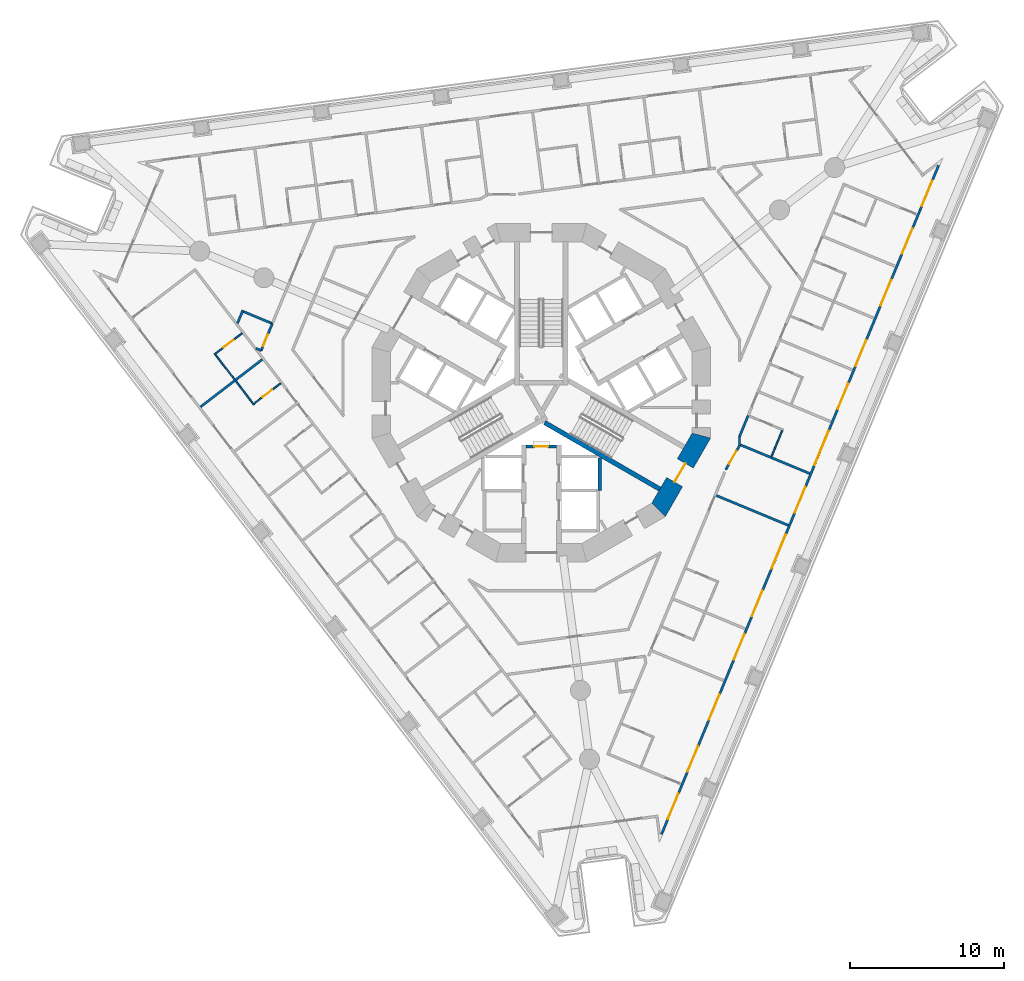
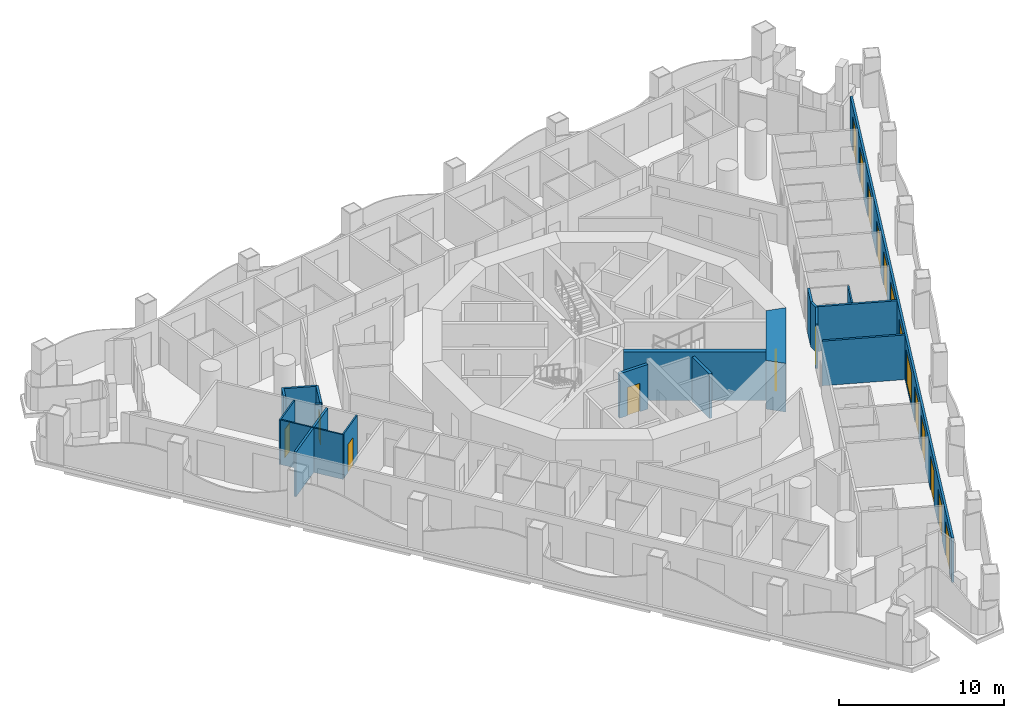
# One storey, part 5 of 19: 20 walls, 17 doors, 2 windows, 19 openings.
"""IFC4 building model written with IfcOpenShell, lengths in metres."""

from ifc_helpers import new_model, si_unit, direction, frame, frame_2d, origin, place, context, subcontext, project, spatial, polyline, rectangle, outline, extrude, material, layer, layer_set, type_object, element, fill, save


model = new_model("IFC4")

# Units and contexts
model_context = context("Model", 3, precision=1e-05, world=origin(), true_north=direction((0.0, 1.0)))
body_context = subcontext(model_context, "Body", "Model", "MODEL_VIEW")
ifc_project = project(units=[si_unit("LENGTHUNIT", "METRE"), si_unit("AREAUNIT", "SQUARE_METRE"), si_unit("VOLUMEUNIT", "CUBIC_METRE"), si_unit("PLANEANGLEUNIT", "RADIAN"), si_unit("MASSUNIT", "GRAM", prefix="KILO")], contexts=[model_context])

# Site, building, storey
site_placement = place(None, origin())
site = spatial("IfcSite", under=ifc_project, at=site_placement, CompositionType="ELEMENT")
building_placement = place(site_placement, origin())
building = spatial("IfcBuilding", under=site, at=building_placement, Name="Trine Commons Tower", CompositionType="ELEMENT")
storey_placement = place(building_placement, frame((0.0, 0.0, 54.0)))
storey = spatial("IfcBuildingStorey", under=building, at=storey_placement, Name="L12", CompositionType="ELEMENT", Elevation=54.0)

# Wall, openings, windows, doors
ifc_material_1 = material(Name="Aluminium-framed insulated wall panel", Category="aluminium")
ifc_layer_1 = layer(ifc_material_1, 0.14990234375)
ifc_layer_set_1 = layer_set([ifc_layer_1], Name="Aluminium-framed insulated wall panel")
wall_type_1 = type_object("IfcWallType", Name="Glazed frame wall 150, EI 60", PredefinedType="SOLIDWALL", material=ifc_layer_set_1)
wall_1_placement = place(storey_placement, frame((105.888671875, 77.410888671875, 0.0), z_axis=(0.0, 0.0, 1.0), x_axis=(-0.38268395344, -0.923879316675, 0.0)))
wall_1 = element("IfcWall", 1, at=wall_1_placement, inside=storey, type_object=wall_type_1, Name="Glazed frame wall F2", PredefinedType="SOLIDWALL", context=body_context, shape_type="SweptSolid", body=[
    extrude(outline(polyline([(0.1494140625, 0.074951171875), (0.1494140625, -0.074951171875), (47.216796875, -0.074951171875), (47.216796875, 0.074951171875), (0.1494140625, 0.074951171875)])), origin(), (0.0, 0.0, 1.0), 3.300048828125),
])
opening_1_placement = place(wall_1_placement, frame((1.2216796875, 0.0, 0.0)))
opening_1 = element("IfcOpeningElement", 2, at=opening_1_placement, cuts=wall_1, Name="Opening BD-2F2-01", PredefinedType="OPENING", context=body_context, shape_type="SweptSolid", body=[
    extrude(rectangle(XDim=1.800048828125, YDim=2.60009765625, at=frame_2d((0.89990234375, 1.300048828125))), frame((0.0, 0.0849609375, 0.0), z_axis=(0.0, -1.0, 0.0), x_axis=(1.0, 0.0, 0.0)), (0.0, 0.0, 1.0), 0.169921875),
])
opening_2_placement = place(wall_1_placement, frame((4.5654296875, 0.0, 0.0)))
opening_2 = element("IfcOpeningElement", 3, at=opening_2_placement, cuts=wall_1, Name="Opening BD-2F2-02", PredefinedType="OPENING", context=body_context, shape_type="SweptSolid", body=[
    extrude(rectangle(XDim=1.800048828125, YDim=2.60009765625, at=frame_2d((0.89990234375, 1.300048828125))), frame((0.0, 0.0849609375, 0.0), z_axis=(0.0, -1.0, 0.0), x_axis=(1.0, 0.0, 0.0)), (0.0, 0.0, 1.0), 0.169921875),
])
opening_3_placement = place(wall_1_placement, frame((8.208984375, 0.0, 0.0)))
opening_3 = element("IfcOpeningElement", 4, at=opening_3_placement, cuts=wall_1, Name="Opening BD-2F2-03", PredefinedType="OPENING", context=body_context, shape_type="SweptSolid", body=[
    extrude(rectangle(XDim=1.800048828125, YDim=2.60009765625, at=frame_2d((0.89990234375, 1.300048828125))), frame((0.0, 0.0849609375, 0.0), z_axis=(0.0, -1.0, 0.0), x_axis=(1.0, 0.0, 0.0)), (0.0, 0.0, 1.0), 0.169921875),
])
opening_4_placement = place(wall_1_placement, frame((12.45263671875, 0.0, 0.0)))
opening_4 = element("IfcOpeningElement", 5, at=opening_4_placement, cuts=wall_1, Name="Opening BD-2F2-04", PredefinedType="OPENING", context=body_context, shape_type="SweptSolid", body=[
    extrude(rectangle(XDim=1.800048828125, YDim=2.60009765625, at=frame_2d((0.89990234375, 1.300048828125))), frame((0.0, 0.0849609375, 0.0), z_axis=(0.0, -1.0, 0.0), x_axis=(1.0, 0.0, 0.0)), (0.0, 0.0, 1.0), 0.169921875),
])
opening_5_placement = place(wall_1_placement, frame((15.49609375, 0.0, 0.0)))
opening_5 = element("IfcOpeningElement", 6, at=opening_5_placement, cuts=wall_1, Name="Opening BD-2F2-05", PredefinedType="OPENING", context=body_context, shape_type="SweptSolid", body=[
    extrude(rectangle(XDim=1.800048828125, YDim=2.60009765625, at=frame_2d((0.89990234375, 1.300048828125))), frame((0.0, 0.0849609375, 0.0), z_axis=(0.0, -1.0, 0.0), x_axis=(1.0, 0.0, 0.0)), (0.0, 0.0, 1.0), 0.169921875),
])
opening_6_placement = place(wall_1_placement, frame((18.83984375, 0.0, 0.14990234375)))
opening_6 = element("IfcOpeningElement", 7, at=opening_6_placement, cuts=wall_1, Name="Opening W-2F2-06", PredefinedType="OPENING", context=body_context, shape_type="SweptSolid", body=[
    extrude(rectangle(XDim=2.39990234375, YDim=2.449951171875, at=frame_2d((1.199951171875, 1.22509765625))), frame((0.0, 0.0849609375, 0.0), z_axis=(0.0, -1.0, 0.0), x_axis=(1.0, 0.0, 0.0)), (0.0, 0.0, 1.0), 0.169921875),
])
opening_7_placement = place(wall_1_placement, frame((22.783447265625, 0.0, 0.0)))
opening_7 = element("IfcOpeningElement", 8, at=opening_7_placement, cuts=wall_1, Name="Opening BD-2F2-07", PredefinedType="OPENING", context=body_context, shape_type="SweptSolid", body=[
    extrude(rectangle(XDim=1.800048828125, YDim=2.60009765625, at=frame_2d((0.89990234375, 1.300048828125))), frame((0.0, 0.0849609375, 0.0), z_axis=(0.0, -1.0, 0.0), x_axis=(1.0, 0.0, 0.0)), (0.0, 0.0, 1.0), 0.169921875),
])
opening_8_placement = place(wall_1_placement, frame((26.126953125, 0.0, 0.14990234375)))
opening_8 = element("IfcOpeningElement", 9, at=opening_8_placement, cuts=wall_1, Name="Opening W-2F2-08", PredefinedType="OPENING", context=body_context, shape_type="SweptSolid", body=[
    extrude(rectangle(XDim=2.39990234375, YDim=2.449951171875, at=frame_2d((1.199951171875, 1.22509765625))), frame((0.0, 0.0849609375, 0.0), z_axis=(0.0, -1.0, 0.0), x_axis=(1.0, 0.0, 0.0)), (0.0, 0.0, 1.0), 0.169921875),
])
opening_9_placement = place(wall_1_placement, frame((30.070556640625, 0.0, 0.0)))
opening_9 = element("IfcOpeningElement", 10, at=opening_9_placement, cuts=wall_1, Name="Opening BD-2F2-09", PredefinedType="OPENING", context=body_context, shape_type="SweptSolid", body=[
    extrude(rectangle(XDim=1.800048828125, YDim=2.60009765625, at=frame_2d((0.89990234375, 1.300048828125))), frame((0.0, 0.0849609375, 0.0), z_axis=(0.0, -1.0, 0.0), x_axis=(1.0, 0.0, 0.0)), (0.0, 0.0, 1.0), 0.169921875),
])
opening_10_placement = place(wall_1_placement, frame((33.1142578125, 0.0, 0.0)))
opening_10 = element("IfcOpeningElement", 11, at=opening_10_placement, cuts=wall_1, Name="Opening BD-2F2-10", PredefinedType="OPENING", context=body_context, shape_type="SweptSolid", body=[
    extrude(rectangle(XDim=1.800048828125, YDim=2.60009765625, at=frame_2d((0.89990234375, 1.300048828125))), frame((0.0, 0.0849609375, 0.0), z_axis=(0.0, -1.0, 0.0), x_axis=(1.0, 0.0, 0.0)), (0.0, 0.0, 1.0), 0.169921875),
])
opening_11_placement = place(wall_1_placement, frame((37.35791015625, 0.0, 0.0)))
opening_11 = element("IfcOpeningElement", 12, at=opening_11_placement, cuts=wall_1, Name="Opening BD-2F2-11", PredefinedType="OPENING", context=body_context, shape_type="SweptSolid", body=[
    extrude(rectangle(XDim=1.800048828125, YDim=2.60009765625, at=frame_2d((0.89990234375, 1.300048828125))), frame((0.0, 0.0849609375, 0.0), z_axis=(0.0, -1.0, 0.0), x_axis=(1.0, 0.0, 0.0)), (0.0, 0.0, 1.0), 0.169921875),
])
opening_12_placement = place(wall_1_placement, frame((41.00146484375, 0.0, 0.0)))
opening_12 = element("IfcOpeningElement", 13, at=opening_12_placement, cuts=wall_1, Name="Opening BD-2F2-12", PredefinedType="OPENING", context=body_context, shape_type="SweptSolid", body=[
    extrude(rectangle(XDim=1.800048828125, YDim=2.60009765625, at=frame_2d((0.89990234375, 1.300048828125))), frame((0.0, 0.0849609375, 0.0), z_axis=(0.0, -1.0, 0.0), x_axis=(1.0, 0.0, 0.0)), (0.0, 0.0, 1.0), 0.169921875),
])
opening_13_placement = place(wall_1_placement, frame((44.344970703125, 0.0, 0.0)))
opening_13 = element("IfcOpeningElement", 14, at=opening_13_placement, cuts=wall_1, Name="Opening BD-2F2-13", PredefinedType="OPENING", context=body_context, shape_type="SweptSolid", body=[
    extrude(rectangle(XDim=1.800048828125, YDim=2.60009765625, at=frame_2d((0.89990234375, 1.300048828125))), frame((0.0, 0.0849609375, 0.0), z_axis=(0.0, -1.0, 0.0), x_axis=(1.0, 0.0, 0.0)), (0.0, 0.0, 1.0), 0.169921875),
])
ifc_material_2 = material(Name="Anodised aluminium frame with double glazing", Category="aluminium")
window_type = type_object("IfcWindowType", Name="Fixed window 2400x2450", PartitioningType="SINGLE_PANEL", PredefinedType="WINDOW", material=ifc_material_2)
window_1_placement = place(opening_6_placement, origin())
window_1 = element("IfcWindow", 15, at=window_1_placement, inside=storey, type_object=window_type, Name="Window F2 6", OverallHeight=2.449951171875, OverallWidth=2.39990234375, PartitioningType="SINGLE_PANEL", PredefinedType="WINDOW", context=body_context, shape_type="SweptSolid", body=[
    extrude(rectangle(XDim=2.39990234375, YDim=2.449951171875, at=frame_2d((1.199951171875, 1.22509765625))), frame((0.0, 0.030029296875, 0.0), z_axis=(0.0, -1.0, 0.0), x_axis=(1.0, 0.0, 0.0)), (0.0, 0.0, 1.0), 0.06005859375),
])
fill(opening_6, window_1)
window_2_placement = place(opening_8_placement, origin())
window_2 = element("IfcWindow", 16, at=window_2_placement, inside=storey, type_object=window_type, Name="Window F2 8", OverallHeight=2.449951171875, OverallWidth=2.39990234375, PartitioningType="SINGLE_PANEL", PredefinedType="WINDOW", context=body_context, shape_type="SweptSolid", body=[
    extrude(rectangle(XDim=2.39990234375, YDim=2.449951171875, at=frame_2d((1.199951171875, 1.22509765625))), frame((0.0, 0.030029296875, 0.0), z_axis=(0.0, -1.0, 0.0), x_axis=(1.0, 0.0, 0.0)), (0.0, 0.0, 1.0), 0.06005859375),
])
fill(opening_8, window_2)
door_type_1 = type_object("IfcDoorType", Name="Sliding loggia door 1800x2600", OperationType="SLIDING_TO_LEFT", PredefinedType="DOOR", material=ifc_material_2)
door_1_placement = place(opening_1_placement, origin())
door_1 = element("IfcDoor", 17, at=door_1_placement, inside=storey, type_object=door_type_1, Name="Loggia door F2 1", OperationType="SLIDING_TO_LEFT", OverallHeight=2.60009765625, OverallWidth=1.800048828125, PredefinedType="DOOR", context=body_context, shape_type="SweptSolid", body=[
    extrude(rectangle(XDim=1.800048828125, YDim=2.60009765625, at=frame_2d((0.89990234375, 1.300048828125))), frame((0.0, 0.02490234375, 0.0), z_axis=(0.0, -1.0, 0.0), x_axis=(1.0, 0.0, 0.0)), (0.0, 0.0, 1.0), 0.050048828125),
])
fill(opening_1, door_1)
door_2_placement = place(opening_2_placement, origin())
door_2 = element("IfcDoor", 18, at=door_2_placement, inside=storey, type_object=door_type_1, Name="Loggia door F2 2", OperationType="SLIDING_TO_LEFT", OverallHeight=2.60009765625, OverallWidth=1.800048828125, PredefinedType="DOOR", context=body_context, shape_type="SweptSolid", body=[
    extrude(rectangle(XDim=1.800048828125, YDim=2.60009765625, at=frame_2d((0.89990234375, 1.300048828125))), frame((0.0, 0.02490234375, 0.0), z_axis=(0.0, -1.0, 0.0), x_axis=(1.0, 0.0, 0.0)), (0.0, 0.0, 1.0), 0.050048828125),
])
fill(opening_2, door_2)
door_3_placement = place(opening_3_placement, origin())
door_3 = element("IfcDoor", 19, at=door_3_placement, inside=storey, type_object=door_type_1, Name="Loggia door F2 3", OperationType="SLIDING_TO_LEFT", OverallHeight=2.60009765625, OverallWidth=1.800048828125, PredefinedType="DOOR", context=body_context, shape_type="SweptSolid", body=[
    extrude(rectangle(XDim=1.800048828125, YDim=2.60009765625, at=frame_2d((0.89990234375, 1.300048828125))), frame((0.0, 0.02490234375, 0.0), z_axis=(0.0, -1.0, 0.0), x_axis=(1.0, 0.0, 0.0)), (0.0, 0.0, 1.0), 0.050048828125),
])
fill(opening_3, door_3)
door_4_placement = place(opening_4_placement, origin())
door_4 = element("IfcDoor", 20, at=door_4_placement, inside=storey, type_object=door_type_1, Name="Loggia door F2 4", OperationType="SLIDING_TO_LEFT", OverallHeight=2.60009765625, OverallWidth=1.800048828125, PredefinedType="DOOR", context=body_context, shape_type="SweptSolid", body=[
    extrude(rectangle(XDim=1.800048828125, YDim=2.60009765625, at=frame_2d((0.89990234375, 1.300048828125))), frame((0.0, 0.02490234375, 0.0), z_axis=(0.0, -1.0, 0.0), x_axis=(1.0, 0.0, 0.0)), (0.0, 0.0, 1.0), 0.050048828125),
])
fill(opening_4, door_4)
door_5_placement = place(opening_5_placement, origin())
door_5 = element("IfcDoor", 21, at=door_5_placement, inside=storey, type_object=door_type_1, Name="Loggia door F2 5", OperationType="SLIDING_TO_LEFT", OverallHeight=2.60009765625, OverallWidth=1.800048828125, PredefinedType="DOOR", context=body_context, shape_type="SweptSolid", body=[
    extrude(rectangle(XDim=1.800048828125, YDim=2.60009765625, at=frame_2d((0.89990234375, 1.300048828125))), frame((0.0, 0.02490234375, 0.0), z_axis=(0.0, -1.0, 0.0), x_axis=(1.0, 0.0, 0.0)), (0.0, 0.0, 1.0), 0.050048828125),
])
fill(opening_5, door_5)
door_6_placement = place(opening_7_placement, origin())
door_6 = element("IfcDoor", 22, at=door_6_placement, inside=storey, type_object=door_type_1, Name="Loggia door F2 7", OperationType="SLIDING_TO_LEFT", OverallHeight=2.60009765625, OverallWidth=1.800048828125, PredefinedType="DOOR", context=body_context, shape_type="SweptSolid", body=[
    extrude(rectangle(XDim=1.800048828125, YDim=2.60009765625, at=frame_2d((0.89990234375, 1.300048828125))), frame((0.0, 0.02490234375, 0.0), z_axis=(0.0, -1.0, 0.0), x_axis=(1.0, 0.0, 0.0)), (0.0, 0.0, 1.0), 0.050048828125),
])
fill(opening_7, door_6)
door_7_placement = place(opening_9_placement, origin())
door_7 = element("IfcDoor", 23, at=door_7_placement, inside=storey, type_object=door_type_1, Name="Loggia door F2 9", OperationType="SLIDING_TO_LEFT", OverallHeight=2.60009765625, OverallWidth=1.800048828125, PredefinedType="DOOR", context=body_context, shape_type="SweptSolid", body=[
    extrude(rectangle(XDim=1.800048828125, YDim=2.60009765625, at=frame_2d((0.89990234375, 1.300048828125))), frame((0.0, 0.02490234375, 0.0), z_axis=(0.0, -1.0, 0.0), x_axis=(1.0, 0.0, 0.0)), (0.0, 0.0, 1.0), 0.050048828125),
])
fill(opening_9, door_7)
door_8_placement = place(opening_10_placement, origin())
door_8 = element("IfcDoor", 24, at=door_8_placement, inside=storey, type_object=door_type_1, Name="Loggia door F2 10", OperationType="SLIDING_TO_LEFT", OverallHeight=2.60009765625, OverallWidth=1.800048828125, PredefinedType="DOOR", context=body_context, shape_type="SweptSolid", body=[
    extrude(rectangle(XDim=1.800048828125, YDim=2.60009765625, at=frame_2d((0.89990234375, 1.300048828125))), frame((0.0, 0.02490234375, 0.0), z_axis=(0.0, -1.0, 0.0), x_axis=(1.0, 0.0, 0.0)), (0.0, 0.0, 1.0), 0.050048828125),
])
fill(opening_10, door_8)
door_9_placement = place(opening_11_placement, origin())
door_9 = element("IfcDoor", 25, at=door_9_placement, inside=storey, type_object=door_type_1, Name="Loggia door F2 11", OperationType="SLIDING_TO_LEFT", OverallHeight=2.60009765625, OverallWidth=1.800048828125, PredefinedType="DOOR", context=body_context, shape_type="SweptSolid", body=[
    extrude(rectangle(XDim=1.800048828125, YDim=2.60009765625, at=frame_2d((0.89990234375, 1.300048828125))), frame((0.0, 0.02490234375, 0.0), z_axis=(0.0, -1.0, 0.0), x_axis=(1.0, 0.0, 0.0)), (0.0, 0.0, 1.0), 0.050048828125),
])
fill(opening_11, door_9)
door_10_placement = place(opening_12_placement, origin())
door_10 = element("IfcDoor", 26, at=door_10_placement, inside=storey, type_object=door_type_1, Name="Loggia door F2 12", OperationType="SLIDING_TO_LEFT", OverallHeight=2.60009765625, OverallWidth=1.800048828125, PredefinedType="DOOR", context=body_context, shape_type="SweptSolid", body=[
    extrude(rectangle(XDim=1.800048828125, YDim=2.60009765625, at=frame_2d((0.89990234375, 1.300048828125))), frame((0.0, 0.02490234375, 0.0), z_axis=(0.0, -1.0, 0.0), x_axis=(1.0, 0.0, 0.0)), (0.0, 0.0, 1.0), 0.050048828125),
])
fill(opening_12, door_10)
door_11_placement = place(opening_13_placement, origin())
door_11 = element("IfcDoor", 27, at=door_11_placement, inside=storey, type_object=door_type_1, Name="Loggia door F2 13", OperationType="SLIDING_TO_LEFT", OverallHeight=2.60009765625, OverallWidth=1.800048828125, PredefinedType="DOOR", context=body_context, shape_type="SweptSolid", body=[
    extrude(rectangle(XDim=1.800048828125, YDim=2.60009765625, at=frame_2d((0.89990234375, 1.300048828125))), frame((0.0, 0.02490234375, 0.0), z_axis=(0.0, -1.0, 0.0), x_axis=(1.0, 0.0, 0.0)), (0.0, 0.0, 1.0), 0.050048828125),
])
fill(opening_13, door_11)

# Wall, opening, door
ifc_material_3 = material(Name="Fire-rated gypsum shaft wall system")
ifc_layer_2 = layer(ifc_material_3, 0.199951171875)
ifc_layer_set_2 = layer_set([ifc_layer_2], Name="Fire-rated gypsum shaft wall system")
wall_type_2 = type_object("IfcWallType", Name="Lobby end wall 200 mm, EI 120", PredefinedType="PARTITIONING", material=ifc_layer_set_2)
wall_2_placement = place(storey_placement, frame((79.0, 59.0, 0.0), z_axis=(0.0, 0.0, 1.0), x_axis=(1.0, 0.0, 0.0)))
wall_2 = element("IfcWall", 28, at=wall_2_placement, inside=storey, type_object=wall_type_2, Name="Lobby end wall L12", PredefinedType="PARTITIONING", context=body_context, shape_type="SweptSolid", body=[
    extrude(rectangle(XDim=2.0, YDim=0.199951171875, at=frame_2d((1.0, 0.0))), origin(), (0.0, 0.0, 1.0), 3.300048828125),
])
opening_14_placement = place(wall_2_placement, frame((0.550048828125, 0.0, 0.0)))
opening_14 = element("IfcOpeningElement", 29, at=opening_14_placement, cuts=wall_2, Name="Opening K07.09", PredefinedType="OPENING", context=body_context, shape_type="SweptSolid", body=[
    extrude(rectangle(XDim=0.89990234375, YDim=2.10009765625, at=frame_2d((0.449951171875, 1.050048828125))), frame((0.0, 0.10986328125, 0.0), z_axis=(0.0, -1.0, 0.0), x_axis=(1.0, 0.0, 0.0)), (0.0, 0.0, 1.0), 0.219970703125),
])
ifc_material_4 = material(Name="Steel door leaf, fire-rated", Category="steel")
door_type_2 = type_object("IfcDoorType", Name="Riser access door, single leaf 900 x 2100, FD60", OperationType="SINGLE_SWING_LEFT", PredefinedType="DOOR", material=ifc_material_4)
door_12_placement = place(opening_14_placement, frame((0.89990234375, 0.0, 0.0), z_axis=(0.0, 0.0, 1.0), x_axis=(-1.0, 0.0, 0.0)))
door_12 = element("IfcDoor", 30, at=door_12_placement, inside=storey, type_object=door_type_2, Name="Riser door, Communications riser L12", OperationType="SINGLE_SWING_RIGHT", OverallHeight=2.10009765625, OverallWidth=0.89990234375, PredefinedType="DOOR", context=body_context, shape_type="SweptSolid", body=[
    extrude(rectangle(XDim=0.89990234375, YDim=2.10009765625, at=frame_2d((0.449951171875, 1.050048828125))), frame((0.0, 0.02490234375, 0.0), z_axis=(0.0, -1.0, 0.0), x_axis=(1.0, 0.0, 0.0)), (0.0, 0.0, 1.0), 0.050048828125),
])
fill(opening_14, door_12)

ifc_material_5 = material(Name="Concrete C80/95", Category="concrete")
ifc_layer_3 = layer(ifc_material_5, 1.199951171875)
ifc_layer_set_3 = layer_set([ifc_layer_3], Name="Concrete C80/95")
wall_type_3 = type_object("IfcWallType", Name="RC shear wall 1200 mm, C80/95", PredefinedType="SHEAR", material=ifc_layer_set_3)
wall_3_placement = place(storey_placement, frame((87.54150390625, 54.739013671875, 0.0), z_axis=(0.0, 0.0, 1.0), x_axis=(0.499979111662, 0.866037463336, 0.0)))
wall_3 = element("IfcWall", 31, at=wall_3_placement, inside=storey, type_object=wall_type_3, Name="Core wall CWB-12 L12", PredefinedType="SHEAR", context=body_context, shape_type="SweptSolid", body=[
    extrude(outline(polyline([(0.0, -0.60009765625), (5.901123046875, -0.60009765625), (5.57958984375, 0.60009765625), (0.321533203125, 0.60009765625), (0.0, -0.60009765625)])), origin(), (0.0, 0.0, 1.0), 3.60009765625),
])
opening_15_placement = place(wall_3_placement, frame((2.25048828125, 0.0, 0.0)))
opening_15 = element("IfcOpeningElement", 32, at=opening_15_placement, cuts=wall_3, Name="Opening K07.03", PredefinedType="OPENING", context=body_context, shape_type="SweptSolid", body=[
    extrude(rectangle(XDim=1.39990234375, YDim=2.10009765625, at=frame_2d((0.699951171875, 1.050048828125))), frame((0.0, 0.60986328125, 0.0), z_axis=(0.0, -1.0, 0.0), x_axis=(1.0, 0.0, 0.0)), (0.0, 0.0, 1.0), 1.219970703125),
])
ifc_material_6 = material(Name="Steel door leaves, fire-rated", Category="steel")
door_type_3 = type_object("IfcDoorType", Name="Stair door, double leaf 1400 x 2100, FD90", OperationType="DOUBLE_DOOR_SINGLE_SWING", PredefinedType="DOOR", material=ifc_material_6)
door_13_placement = place(opening_15_placement, origin())
door_13 = element("IfcDoor", 33, at=door_13_placement, inside=storey, type_object=door_type_3, Name="Stair door to Exit stair ST3A L12", OperationType="DOUBLE_DOOR_SINGLE_SWING", OverallHeight=2.10009765625, OverallWidth=1.39990234375, PredefinedType="DOOR", context=body_context, shape_type="SweptSolid", body=[
    extrude(rectangle(XDim=1.39990234375, YDim=2.10009765625, at=frame_2d((0.699951171875, 1.050048828125))), frame((0.0, 0.02490234375, 0.0), z_axis=(0.0, -1.0, 0.0), x_axis=(1.0, 0.0, 0.0)), (0.0, 0.0, 1.0), 0.050048828125),
])
fill(opening_15, door_13)

# Walls
ifc_layer_4 = layer(ifc_material_5, 0.300048828125)
ifc_layer_set_4 = layer_set([ifc_layer_4], Name="Concrete C80/95")
wall_type_4 = type_object("IfcWallType", Name="RC shear wall 300 mm, C80/95", PredefinedType="SHEAR", material=ifc_layer_set_4)
wall_4_placement = place(storey_placement, frame((80.22509765625, 60.552001953125, 0.0), z_axis=(0.0, 0.0, 1.0), x_axis=(0.865965399159, -0.500103916661, 0.0)))
element("IfcWall", 34, at=wall_4_placement, inside=storey, type_object=wall_type_4, Name="Core cross wall SWA-13 L12", PredefinedType="SHEAR", context=body_context, shape_type="SweptSolid", body=[
    extrude(rectangle(XDim=8.642333984375, YDim=0.300048828125, at=frame_2d((4.3212890625, 0.0))), origin(), (0.0, 0.0, 1.0), 3.60009765625),
])
ifc_layer_5 = layer(ifc_material_3, 0.199951171875)
ifc_layer_set_5 = layer_set([ifc_layer_5], Name="Fire-rated gypsum shaft wall system")
wall_type_5 = type_object("IfcWallType", Name="Shaft wall 200 mm, EI 120", PredefinedType="PARTITIONING", material=ifc_layer_set_5)
wall_5_placement = place(storey_placement, frame((83.800048828125, 58.256103515625, 0.0), z_axis=(0.0, 0.0, 1.0), x_axis=(0.0, -1.0, 0.0)))
element("IfcWall", 35, at=wall_5_placement, inside=storey, type_object=wall_type_5, Name="Shaft wall L12", PredefinedType="PARTITIONING", context=body_context, shape_type="SweptSolid", body=[
    extrude(rectangle(XDim=2.106201171875, YDim=0.199951171875, at=frame_2d((1.05322265625, 0.0))), origin(), (0.0, 0.0, 1.0), 3.300048828125),
])
ifc_material_7 = material(Name="Gypsum plasterboard on steel stud", Category="steel")
ifc_layer_6 = layer(ifc_material_7, 0.14990234375)
ifc_layer_set_6 = layer_set([ifc_layer_6], Name="Gypsum plasterboard on steel stud")
wall_type_6 = type_object("IfcWallType", Name="Unit and corridor wall 150 mm, EI 60", PredefinedType="PARTITIONING", material=ifc_layer_set_6)
wall_6_placement = place(storey_placement, frame((57.84765625, 61.576416015625, 0.0), z_axis=(0.0, 0.0, 1.0), x_axis=(0.793280814045, 0.608855935397, 0.0)))
element("IfcWall", 36, at=wall_6_placement, inside=storey, type_object=wall_type_6, Name="Partition 004", PredefinedType="PARTITIONING", context=body_context, shape_type="SweptSolid", body=[
    extrude(rectangle(XDim=2.789306640625, YDim=0.14990234375, at=frame_2d((1.39453125, 0.0))), origin(), (0.0, 0.0, 1.0), 3.300048828125),
])
wall_7_placement = place(storey_placement, frame((60.1396484375, 63.33544921875, 0.0), z_axis=(0.0, 0.0, 1.0), x_axis=(0.79342025342, 0.608674216197, 0.0)))
element("IfcWall", 37, at=wall_7_placement, inside=storey, type_object=wall_type_6, Name="Partition 012", PredefinedType="PARTITIONING", context=body_context, shape_type="SweptSolid", body=[
    extrude(rectangle(XDim=2.17529296875, YDim=0.14990234375, at=frame_2d((1.087646484375, 0.0))), origin(), (0.0, 0.0, 1.0), 3.300048828125),
])
wall_8_placement = place(storey_placement, frame((60.24560546875, 67.000244140625, 0.0), z_axis=(0.0, 0.0, 1.0), x_axis=(0.383080061035, 0.923715143774, 0.0)))
element("IfcWall", 38, at=wall_8_placement, inside=storey, type_object=wall_type_6, Name="Partition 013", PredefinedType="PARTITIONING", context=body_context, shape_type="SweptSolid", body=[
    extrude(rectangle(XDim=0.9375, YDim=0.14990234375, at=frame_2d((0.46875, 0.0))), origin(), (0.0, 0.0, 1.0), 3.300048828125),
])
wall_9_placement = place(storey_placement, frame((60.645263671875, 67.768310546875, 0.0), z_axis=(0.0, 0.0, 1.0), x_axis=(0.923799320148, -0.382877024767, 0.0)))
element("IfcWall", 39, at=wall_9_placement, inside=storey, type_object=wall_type_6, Name="Partition 015", PredefinedType="PARTITIONING", context=body_context, shape_type="SweptSolid", body=[
    extrude(rectangle(XDim=2.025146484375, YDim=0.14990234375, at=frame_2d((1.0126953125, 0.0))), origin(), (0.0, 0.0, 1.0), 3.300048828125),
])
wall_10_placement = place(storey_placement, frame((61.43896484375, 65.38330078125, 0.0), z_axis=(0.0, 0.0, 1.0), x_axis=(0.923599819829, -0.383358021714, 0.0)))
element("IfcWall", 40, at=wall_10_placement, inside=storey, type_object=wall_type_6, Name="Partition 018", PredefinedType="PARTITIONING", context=body_context, shape_type="SweptSolid", body=[
    extrude(rectangle(XDim=0.39990234375, YDim=0.14990234375, at=frame_2d((0.199951171875, 0.0))), origin(), (0.0, 0.0, 1.0), 3.300048828125),
])

# Wall, opening, door
wall_11_placement = place(storey_placement, frame((61.787109375, 65.23388671875, 0.0), z_axis=(0.0, 0.0, 1.0), x_axis=(0.38314285934, 0.923689097769, 0.0)))
wall_11 = element("IfcWall", 41, at=wall_11_placement, inside=storey, type_object=wall_type_6, Name="Partition 019", PredefinedType="PARTITIONING", context=body_context, shape_type="SweptSolid", body=[
    extrude(rectangle(XDim=1.90771484375, YDim=0.14990234375, at=frame_2d((0.953857421875, 0.0))), origin(), (0.0, 0.0, 1.0), 3.300048828125),
])
opening_16_placement = place(wall_11_placement, frame((0.328125, 0.0, 0.0)))
opening_16 = element("IfcOpeningElement", 42, at=opening_16_placement, cuts=wall_11, Name="Opening D-2A06", PredefinedType="OPENING", context=body_context, shape_type="SweptSolid", body=[
    extrude(rectangle(XDim=0.800048828125, YDim=2.10009765625, at=frame_2d((0.39990234375, 1.050048828125))), frame((0.0, 0.0849609375, 0.0), z_axis=(0.0, -1.0, 0.0), x_axis=(1.0, 0.0, 0.0)), (0.0, 0.0, 1.0), 0.169921875),
])
ifc_material_8 = material(Name="Painted timber", Category="wood")
door_type_4 = type_object("IfcDoorType", Name="Toilet door 800 x 2100, NOT RATED", OperationType="NOTDEFINED", PredefinedType="DOOR", material=ifc_material_8)
door_14_placement = place(opening_16_placement, origin())
door_14 = element("IfcDoor", 43, at=door_14_placement, inside=storey, type_object=door_type_4, Name="Door D-2A06", OperationType="SINGLE_SWING_LEFT", OverallHeight=2.10009765625, OverallWidth=0.800048828125, PredefinedType="DOOR", context=body_context, shape_type="SweptSolid", body=[
    extrude(rectangle(XDim=0.800048828125, YDim=2.10009765625, at=frame_2d((0.39990234375, 1.050048828125))), frame((0.0, 0.02490234375, 0.0), z_axis=(0.0, -1.0, 0.0), x_axis=(1.0, 0.0, 0.0)), (0.0, 0.0, 1.0), 0.050048828125),
])
fill(opening_16, door_14)

# Wall
wall_12_placement = place(storey_placement, frame((91.38037109375, 55.814208984375, 0.0), z_axis=(0.0, 0.0, 1.0), x_axis=(0.923879340067, -0.382683896966, 0.0)))
element("IfcWall", 44, at=wall_12_placement, inside=storey, type_object=wall_type_6, Name="Partition 128", PredefinedType="PARTITIONING", context=body_context, shape_type="SweptSolid", body=[
    extrude(rectangle(XDim=5.064208984375, YDim=0.14990234375, at=frame_2d((2.5322265625, 0.0))), origin(), (0.0, 0.0, 1.0), 3.300048828125),
])

# Wall, opening, door
wall_13_placement = place(storey_placement, frame((91.988037109375, 57.490966796875, 0.0), z_axis=(0.0, 0.0, 1.0), x_axis=(0.500200642588, 0.865909531738, 0.0)))
wall_13 = element("IfcWall", 45, at=wall_13_placement, inside=storey, type_object=wall_type_6, Name="Partition 132", PredefinedType="PARTITIONING", context=body_context, shape_type="SweptSolid", body=[
    extrude(rectangle(XDim=1.797119140625, YDim=0.14990234375, at=frame_2d((0.8984375, 0.0))), origin(), (0.0, 0.0, 1.0), 3.300048828125),
])
opening_17_placement = place(wall_13_placement, frame((0.418701171875, 0.0, 0.0)))
opening_17 = element("IfcOpeningElement", 46, at=opening_17_placement, cuts=wall_13, Name="Opening D-2A22", PredefinedType="OPENING", context=body_context, shape_type="SweptSolid", body=[
    extrude(rectangle(XDim=1.0, YDim=2.10009765625, at=frame_2d((0.5, 1.050048828125))), frame((0.0, 0.0849609375, 0.0), z_axis=(0.0, -1.0, 0.0), x_axis=(1.0, 0.0, 0.0)), (0.0, 0.0, 1.0), 0.169921875),
])
door_type_5 = type_object("IfcDoorType", Name="Toilet door 1000 x 2100, NOT RATED", OperationType="NOTDEFINED", PredefinedType="DOOR", material=ifc_material_8)
door_15_placement = place(opening_17_placement, frame((1.0, 0.0, 0.0), z_axis=(0.0, 0.0, 1.0), x_axis=(-1.0, 0.0, 0.0)))
door_15 = element("IfcDoor", 47, at=door_15_placement, inside=storey, type_object=door_type_5, Name="Door D-2A22", OperationType="SINGLE_SWING_LEFT", OverallHeight=2.10009765625, OverallWidth=1.0, PredefinedType="DOOR", context=body_context, shape_type="SweptSolid", body=[
    extrude(rectangle(XDim=1.0, YDim=2.10009765625, at=frame_2d((0.5, 1.050048828125))), frame((0.0, 0.02490234375, 0.0), z_axis=(0.0, -1.0, 0.0), x_axis=(1.0, 0.0, 0.0)), (0.0, 0.0, 1.0), 0.050048828125),
])
fill(opening_17, door_15)

# Walls
wall_14_placement = place(storey_placement, frame((92.886962890625, 59.053955078125, 0.0), z_axis=(0.0, 0.0, 1.0), x_axis=(0.0, 1.0, 0.0)))
element("IfcWall", 48, at=wall_14_placement, inside=storey, type_object=wall_type_6, Name="Partition 134", PredefinedType="PARTITIONING", context=body_context, shape_type="SweptSolid", body=[
    extrude(rectangle(XDim=0.60400390625, YDim=0.14990234375, at=frame_2d((0.302001953125, 0.0))), origin(), (0.0, 0.0, 1.0), 3.300048828125),
])
wall_15_placement = place(storey_placement, frame((92.956298828125, 59.105224609375, 0.0), z_axis=(0.0, 0.0, 1.0), x_axis=(0.923843801062, -0.382769684325, 0.0)))
element("IfcWall", 49, at=wall_15_placement, inside=storey, type_object=wall_type_6, Name="Partition 135", PredefinedType="PARTITIONING", context=body_context, shape_type="SweptSolid", body=[
    extrude(rectangle(XDim=4.8671875, YDim=0.14990234375, at=frame_2d((2.43359375, 0.0))), origin(), (0.0, 0.0, 1.0), 3.300048828125),
])
wall_16_placement = place(storey_placement, frame((92.886962890625, 59.64599609375, 0.0), z_axis=(0.0, 0.0, 1.0), x_axis=(0.382283814647, 0.924044958354, 0.0)))
element("IfcWall", 50, at=wall_16_placement, inside=storey, type_object=wall_type_6, Name="Partition 136", PredefinedType="PARTITIONING", context=body_context, shape_type="SweptSolid", body=[
    extrude(rectangle(XDim=1.48046875, YDim=0.14990234375, at=frame_2d((0.740234375, 0.0))), origin(), (0.0, 0.0, 1.0), 3.300048828125),
])

# Wall, opening, door
ifc_layer_7 = layer(ifc_material_7, 0.10009765625)
ifc_layer_set_7 = layer_set([ifc_layer_7], Name="Gypsum plasterboard on steel stud")
wall_type_7 = type_object("IfcWallType", Name="Unit partition 100 mm, no rating", PredefinedType="PARTITIONING", material=ifc_layer_set_7)
wall_17_placement = place(storey_placement, frame((58.751220703125, 64.980712890625, 0.0), z_axis=(0.0, 0.0, 1.0), x_axis=(0.793437070432, 0.608652294224, 0.0)))
wall_17 = element("IfcWall", 51, at=wall_17_placement, inside=storey, type_object=wall_type_7, Name="Partition 008", PredefinedType="PARTITIONING", context=body_context, shape_type="SweptSolid", body=[
    extrude(rectangle(XDim=2.275146484375, YDim=0.10009765625, at=frame_2d((1.1376953125, 0.0))), origin(), (0.0, 0.0, 1.0), 3.300048828125),
])
opening_18_placement = place(wall_17_placement, frame((0.762451171875, 0.0, 0.0)))
opening_18 = element("IfcOpeningElement", 52, at=opening_18_placement, cuts=wall_17, Name="Opening D-2A65", PredefinedType="OPENING", context=body_context, shape_type="SweptSolid", body=[
    extrude(rectangle(XDim=0.800048828125, YDim=2.10009765625, at=frame_2d((0.39990234375, 1.050048828125))), frame((0.0, 0.06005859375, 0.0), z_axis=(0.0, -1.0, 0.0), x_axis=(1.0, 0.0, 0.0)), (0.0, 0.0, 1.0), 0.1201171875),
])
door_type_6 = type_object("IfcDoorType", Name="Internal door 800 x 2100, NOT RATED", OperationType="NOTDEFINED", PredefinedType="DOOR", material=ifc_material_8)
door_16_placement = place(opening_18_placement, origin())
door_16 = element("IfcDoor", 53, at=door_16_placement, inside=storey, type_object=door_type_6, Name="Door D-2A65", OperationType="SINGLE_SWING_RIGHT", OverallHeight=2.10009765625, OverallWidth=0.800048828125, PredefinedType="DOOR", context=body_context, shape_type="SweptSolid", body=[
    extrude(rectangle(XDim=0.800048828125, YDim=2.10009765625, at=frame_2d((0.39990234375, 1.050048828125))), frame((0.0, 0.02490234375, 0.0), z_axis=(0.0, -1.0, 0.0), x_axis=(1.0, 0.0, 0.0)), (0.0, 0.0, 1.0), 0.050048828125),
])
fill(opening_18, door_16)

# Wall
wall_18_placement = place(storey_placement, frame((58.8212890625, 64.97119140625, 0.0), z_axis=(0.0, 0.0, 1.0), x_axis=(0.608766496324, -0.793349451978, 0.0)))
element("IfcWall", 54, at=wall_18_placement, inside=storey, type_object=wall_type_7, Name="Partition 009", PredefinedType="PARTITIONING", context=body_context, shape_type="SweptSolid", body=[
    extrude(rectangle(XDim=4.100341796875, YDim=0.10009765625, at=frame_2d((2.05029296875, 0.0))), origin(), (0.0, 0.0, 1.0), 3.300048828125),
])

# Wall, opening, door
wall_19_placement = place(storey_placement, frame((61.32666015625, 61.788330078125, 0.0), z_axis=(0.0, 0.0, 1.0), x_axis=(0.79342025342, 0.608674216197, 0.0)))
wall_19 = element("IfcWall", 55, at=wall_19_placement, inside=storey, type_object=wall_type_7, Name="Partition 016", PredefinedType="PARTITIONING", context=body_context, shape_type="SweptSolid", body=[
    extrude(rectangle(XDim=2.17529296875, YDim=0.10009765625, at=frame_2d((1.087646484375, 0.0))), origin(), (0.0, 0.0, 1.0), 3.300048828125),
])
opening_19_placement = place(wall_19_placement, frame((0.6875, 0.0, 0.0)))
opening_19 = element("IfcOpeningElement", 56, at=opening_19_placement, cuts=wall_19, Name="Opening D-2A64", PredefinedType="OPENING", context=body_context, shape_type="SweptSolid", body=[
    extrude(rectangle(XDim=0.800048828125, YDim=2.10009765625, at=frame_2d((0.39990234375, 1.050048828125))), frame((0.0, 0.06005859375, 0.0), z_axis=(0.0, -1.0, 0.0), x_axis=(1.0, 0.0, 0.0)), (0.0, 0.0, 1.0), 0.1201171875),
])
door_17_placement = place(opening_19_placement, frame((0.800048828125, 0.0, 0.0), z_axis=(0.0, 0.0, 1.0), x_axis=(-1.0, 0.0, 0.0)))
door_17 = element("IfcDoor", 57, at=door_17_placement, inside=storey, type_object=door_type_6, Name="Door D-2A64", OperationType="SINGLE_SWING_LEFT", OverallHeight=2.10009765625, OverallWidth=0.800048828125, PredefinedType="DOOR", context=body_context, shape_type="SweptSolid", body=[
    extrude(rectangle(XDim=0.800048828125, YDim=2.10009765625, at=frame_2d((0.39990234375, 1.050048828125))), frame((0.0, 0.02490234375, 0.0), z_axis=(0.0, -1.0, 0.0), x_axis=(1.0, 0.0, 0.0)), (0.0, 0.0, 1.0), 0.050048828125),
])
fill(opening_19, door_17)

# Wall
wall_20_placement = place(storey_placement, frame((94.9677734375, 58.353271484375, 0.0), z_axis=(0.0, 0.0, 1.0), x_axis=(0.382714221705, 0.923866778548, 0.0)))
element("IfcWall", 58, at=wall_20_placement, inside=storey, type_object=wall_type_7, Name="Partition 148", PredefinedType="PARTITIONING", context=body_context, shape_type="SweptSolid", body=[
    extrude(rectangle(XDim=1.824462890625, YDim=0.10009765625, at=frame_2d((0.912109375, 0.0))), origin(), (0.0, 0.0, 1.0), 3.300048828125),
])

save(model, "model.ifc")
